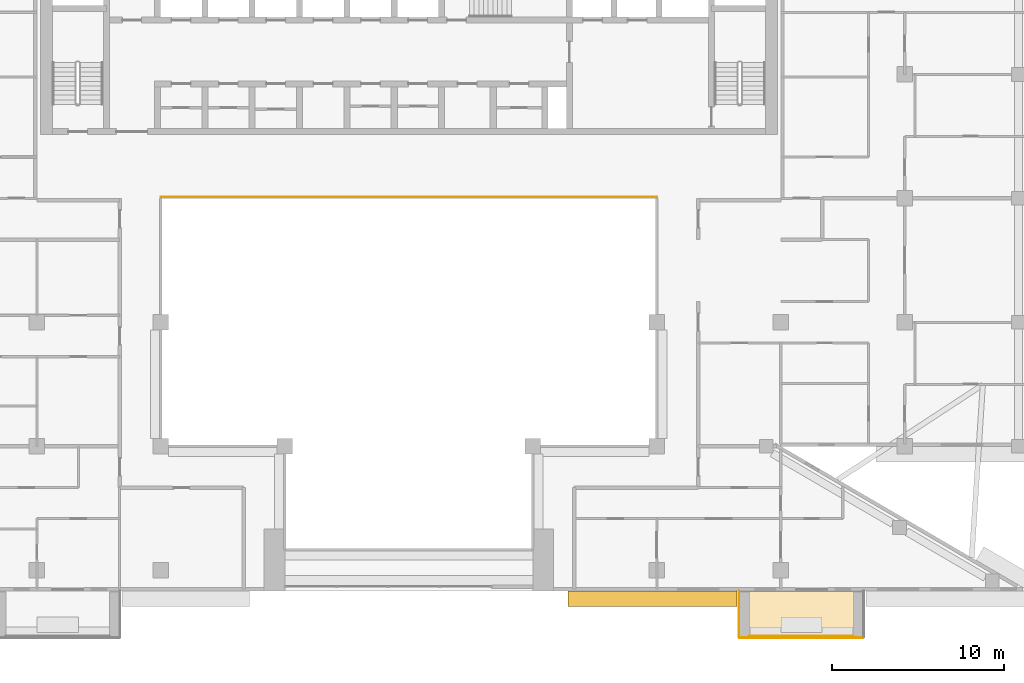
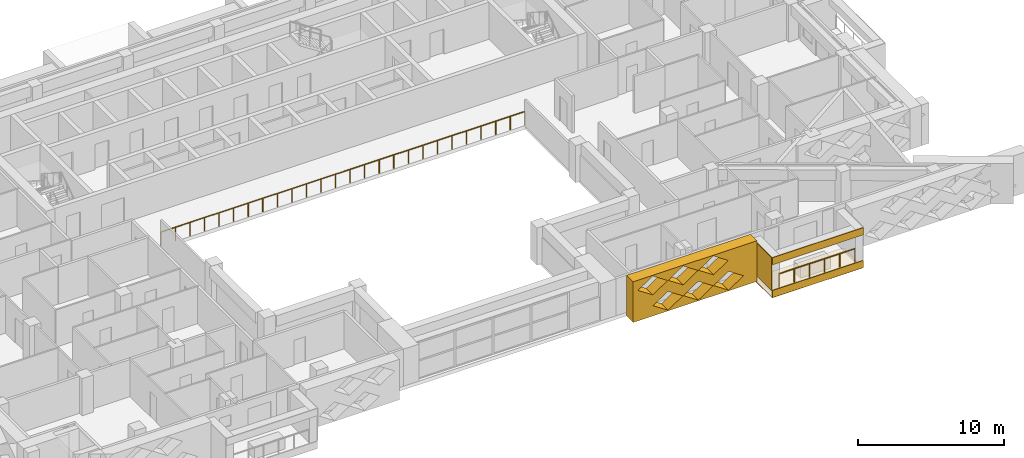
# One storey, part 16 of 20: 5 coverings, 2 railings.
"""IFC4 building model written with IfcOpenShell, lengths in metres."""

from ifc_helpers import new_model, si_unit, direction, frame, origin, origin_2d, place, context, subcontext, project, spatial, polyline, circle, outline, extrude, material, layer, layer_set, type_object, element, save


model = new_model("IFC4")

# Units and contexts
model_context = context("Model", 3, precision=1e-05, world=origin(), true_north=direction((0.0, 1.0)))
body_context = subcontext(model_context, "Body", "Model", "MODEL_VIEW")
ifc_project = project(units=[si_unit("LENGTHUNIT", "METRE"), si_unit("AREAUNIT", "SQUARE_METRE"), si_unit("VOLUMEUNIT", "CUBIC_METRE"), si_unit("PLANEANGLEUNIT", "RADIAN"), si_unit("MASSUNIT", "GRAM", prefix="KILO")], contexts=[model_context])

# Site, building, storey
site_placement = place(None, origin())
site = spatial("IfcSite", under=ifc_project, at=site_placement, CompositionType="ELEMENT")
building_placement = place(site_placement, origin())
building = spatial("IfcBuilding", under=site, at=building_placement, Name="Saffron Iwan Residences", CompositionType="ELEMENT")
storey_placement = place(building_placement, frame((0.0, 0.0, 202.5)))
storey = spatial("IfcBuildingStorey", under=building, at=storey_placement, Name="L54", CompositionType="ELEMENT", Elevation=202.5)

# Railings
ifc_material_1 = material(Name="Stainless steel 316", Category="steel")
railing_type_1 = type_object("IfcRailingType", Name="Atrium guard 1150", PredefinedType="GUARDRAIL", material=ifc_material_1)
railing_1_placement = place(storey_placement, frame((36.0, 62.47509765625, 0.0)))
element("IfcRailing", 1, at=railing_1_placement, inside=storey, type_object=railing_type_1, Name="Atrium guard L54", PredefinedType="GUARDRAIL", context=body_context, shape_type="SweptSolid", body=[
    extrude(circle(Radius=0.02392578125, at=origin_2d()), frame((0.0, 0.0, 1.1259765625), z_axis=(1.0, 0.0, 0.0), x_axis=(0.0, 1.0, 0.0)), (0.0, 0.0, 1.0), 28.800048828125),
    extrude(circle(Radius=0.02099609375, at=origin_2d()), origin(), (0.0, 0.0, 1.0), 1.101806640625),
    extrude(circle(Radius=0.02099609375, at=origin_2d()), frame((1.152099609375, 0.0, 0.0)), (0.0, 0.0, 1.0), 1.101806640625),
    extrude(circle(Radius=0.02099609375, at=origin_2d()), frame((2.303955078125, 0.0, 0.0)), (0.0, 0.0, 1.0), 1.101806640625),
    extrude(circle(Radius=0.02099609375, at=origin_2d()), frame((3.4560546875, 0.0, 0.0)), (0.0, 0.0, 1.0), 1.101806640625),
    extrude(circle(Radius=0.02099609375, at=origin_2d()), frame((4.60791015625, 0.0, 0.0)), (0.0, 0.0, 1.0), 1.101806640625),
    extrude(circle(Radius=0.02099609375, at=origin_2d()), frame((5.760009765625, 0.0, 0.0)), (0.0, 0.0, 1.0), 1.101806640625),
    extrude(circle(Radius=0.02099609375, at=origin_2d()), frame((6.912109375, 0.0, 0.0)), (0.0, 0.0, 1.0), 1.101806640625),
    extrude(circle(Radius=0.02099609375, at=origin_2d()), frame((8.06396484375, 0.0, 0.0)), (0.0, 0.0, 1.0), 1.101806640625),
    extrude(circle(Radius=0.02099609375, at=origin_2d()), frame((9.216064453125, 0.0, 0.0)), (0.0, 0.0, 1.0), 1.101806640625),
    extrude(circle(Radius=0.02099609375, at=origin_2d()), frame((10.367919921875, 0.0, 0.0)), (0.0, 0.0, 1.0), 1.101806640625),
    extrude(circle(Radius=0.02099609375, at=origin_2d()), frame((11.52001953125, 0.0, 0.0)), (0.0, 0.0, 1.0), 1.101806640625),
    extrude(circle(Radius=0.02099609375, at=origin_2d()), frame((12.672119140625, 0.0, 0.0)), (0.0, 0.0, 1.0), 1.101806640625),
    extrude(circle(Radius=0.02099609375, at=origin_2d()), frame((13.823974609375, 0.0, 0.0)), (0.0, 0.0, 1.0), 1.101806640625),
    extrude(circle(Radius=0.02099609375, at=origin_2d()), frame((14.97607421875, 0.0, 0.0)), (0.0, 0.0, 1.0), 1.101806640625),
    extrude(circle(Radius=0.02099609375, at=origin_2d()), frame((16.1279296875, 0.0, 0.0)), (0.0, 0.0, 1.0), 1.101806640625),
    extrude(circle(Radius=0.02099609375, at=origin_2d()), frame((17.280029296875, 0.0, 0.0)), (0.0, 0.0, 1.0), 1.101806640625),
    extrude(circle(Radius=0.02099609375, at=origin_2d()), frame((18.43212890625, 0.0, 0.0)), (0.0, 0.0, 1.0), 1.101806640625),
    extrude(circle(Radius=0.02099609375, at=origin_2d()), frame((19.583984375, 0.0, 0.0)), (0.0, 0.0, 1.0), 1.101806640625),
    extrude(circle(Radius=0.02099609375, at=origin_2d()), frame((20.736083984375, 0.0, 0.0)), (0.0, 0.0, 1.0), 1.101806640625),
    extrude(circle(Radius=0.02099609375, at=origin_2d()), frame((21.887939453125, 0.0, 0.0)), (0.0, 0.0, 1.0), 1.101806640625),
    extrude(circle(Radius=0.02099609375, at=origin_2d()), frame((23.0400390625, 0.0, 0.0)), (0.0, 0.0, 1.0), 1.101806640625),
    extrude(circle(Radius=0.02099609375, at=origin_2d()), frame((24.192138671875, 0.0, 0.0)), (0.0, 0.0, 1.0), 1.101806640625),
    extrude(circle(Radius=0.02099609375, at=origin_2d()), frame((25.343994140625, 0.0, 0.0)), (0.0, 0.0, 1.0), 1.101806640625),
    extrude(circle(Radius=0.02099609375, at=origin_2d()), frame((26.49609375, 0.0, 0.0)), (0.0, 0.0, 1.0), 1.101806640625),
    extrude(circle(Radius=0.02099609375, at=origin_2d()), frame((27.64794921875, 0.0, 0.0)), (0.0, 0.0, 1.0), 1.101806640625),
    extrude(circle(Radius=0.02099609375, at=origin_2d()), frame((28.800048828125, 0.0, 0.0)), (0.0, 0.0, 1.0), 1.101806640625),
])
railing_type_2 = type_object("IfcRailingType", Name="BALCONY GUARD 1150", PredefinedType="GUARDRAIL", material=ifc_material_1)
railing_2_placement = place(storey_placement, frame((70.199951171875, 36.97509765625, 0.0)))
element("IfcRailing", 2, at=railing_2_placement, inside=storey, type_object=railing_type_2, Name="Balcony guard L54 11-1", PredefinedType="GUARDRAIL", context=body_context, shape_type="SweptSolid", body=[
    extrude(circle(Radius=0.02392578125, at=origin_2d()), frame((0.0, 0.0, 1.1259765625), z_axis=(1.0, 0.0, 0.0), x_axis=(0.0, 1.0, 0.0)), (0.0, 0.0, 1.0), 6.0),
    extrude(circle(Radius=0.02099609375, at=origin_2d()), origin(), (0.0, 0.0, 1.0), 1.101806640625),
    extrude(circle(Radius=0.02099609375, at=origin_2d()), frame((1.199951171875, 0.0, 0.0)), (0.0, 0.0, 1.0), 1.101806640625),
    extrude(circle(Radius=0.02099609375, at=origin_2d()), frame((2.39990234375, 0.0, 0.0)), (0.0, 0.0, 1.0), 1.101806640625),
    extrude(circle(Radius=0.02099609375, at=origin_2d()), frame((3.60009765625, 0.0, 0.0)), (0.0, 0.0, 1.0), 1.101806640625),
    extrude(circle(Radius=0.02099609375, at=origin_2d()), frame((4.800048828125, 0.0, 0.0)), (0.0, 0.0, 1.0), 1.101806640625),
    extrude(circle(Radius=0.02099609375, at=origin_2d()), frame((6.0, 0.0, 0.0)), (0.0, 0.0, 1.0), 1.101806640625),
])

# Coverings
ifc_material_2 = material(Name="Precast concrete C40/50 white painted", Category="concrete")
ifc_layer = layer(ifc_material_2, 0.050048828125)
ifc_layer_set = layer_set([ifc_layer], Name="Precast concrete C40/50 white painted")
covering_type_1 = type_object("IfcCoveringType", Name="FRAME SKIN PRECAST WHITE 50", PredefinedType="CLADDING", material=ifc_layer_set)
for number, where, name in (
    (3, (0.0, 0.0, -0.60009765625), "Frame skin slab edge L54 11-1"),
    (4, (0.0, 0.0, 2.14990234375), "Frame skin fascia L54 11-1"),
):
    element("IfcCovering", number, at=place(storey_placement, frame(where)), inside=storey, type_object=covering_type_1, Name=name, PredefinedType="CLADDING", context=body_context, shape_type="SweptSolid", body=[
        extrude(outline(polyline([(69.60009765625, 36.85009765625), (76.800048828125, 36.85009765625), (76.800048828125, 36.89990234375), (69.60009765625, 36.89990234375), (69.60009765625, 36.85009765625)])), origin(), (0.0, 0.0, 1.0), 0.60009765625),
    ])
covering_1_placement = place(storey_placement, frame((0.0, 0.0, -0.64990234375)))
element("IfcCovering", 5, at=covering_1_placement, inside=storey, type_object=covering_type_1, Name="Frame skin soffit L54 11-1", PredefinedType="CLADDING", context=body_context, shape_type="SweptSolid", body=[
    extrude(outline(polyline([(69.60009765625, 36.89990234375), (76.800048828125, 36.89990234375), (76.800048828125, 39.60009765625), (69.60009765625, 39.60009765625), (69.60009765625, 36.89990234375)])), origin(), (0.0, 0.0, 1.0), 0.0498046875),
])
covering_2_placement = place(storey_placement, origin())
element("IfcCovering", 6, at=covering_2_placement, inside=storey, type_object=covering_type_1, Name="Frame skin fin L54 11-1a", PredefinedType="CLADDING", context=body_context, shape_type="SweptSolid", body=[
    extrude(outline(polyline([(69.550048828125, 36.89990234375), (69.60009765625, 36.89990234375), (69.60009765625, 39.60009765625), (69.550048828125, 39.60009765625), (69.550048828125, 36.89990234375)])), origin(), (0.0, 0.0, 1.0), 2.75),
])
ifc_material_3 = material(Name="Precast concrete C40/50", Category="concrete")
covering_type_2 = type_object("IfcCoveringType", Name="OUTER SKIN LATTICE SCREEN", PredefinedType="CLADDING", material=ifc_material_3)
covering_3_placement = place(storey_placement, frame((59.64990234375, 39.60009765625, -0.300048828125), z_axis=(0.0, -1.0, 0.0), x_axis=(1.0, 0.0, 0.0)))
element("IfcCovering", 7, at=covering_3_placement, inside=storey, type_object=covering_type_2, Name="OUTER SKIN lattice screen L54 F11.2", PredefinedType="CLADDING", context=body_context, shape_type="SweptSolid", body=[
    extrude(outline(polyline([(0.0, 0.0), (9.800048828125, 0.0), (9.800048828125, 3.39990234375), (0.0, 3.39990234375), (0.0, 0.0)]), holes=[polyline([(1.570068359375, 0.85009765625), (2.75, 0.06005859375), (3.929931640625, 0.85009765625), (2.75, 1.639892578125), (1.570068359375, 0.85009765625)]), polyline([(3.969970703125, 0.85009765625), (5.14990234375, 0.06005859375), (6.330078125, 0.85009765625), (5.14990234375, 1.639892578125), (3.969970703125, 0.85009765625)]), polyline([(6.3701171875, 0.85009765625), (7.550048828125, 0.06005859375), (8.72998046875, 0.85009765625), (7.550048828125, 1.639892578125), (6.3701171875, 0.85009765625)]), polyline([(0.3701171875, 2.550048828125), (1.550048828125, 1.760009765625), (2.72998046875, 2.550048828125), (1.550048828125, 3.340087890625), (0.3701171875, 2.550048828125)]), polyline([(2.77001953125, 2.550048828125), (3.949951171875, 1.760009765625), (5.1298828125, 2.550048828125), (3.949951171875, 3.340087890625), (2.77001953125, 2.550048828125)]), polyline([(5.169921875, 2.550048828125), (6.35009765625, 1.760009765625), (7.530029296875, 2.550048828125), (6.35009765625, 3.340087890625), (5.169921875, 2.550048828125)])]), origin(), (0.0, 0.0, 1.0), 0.900146484375),
])

save(model, "model.ifc")
